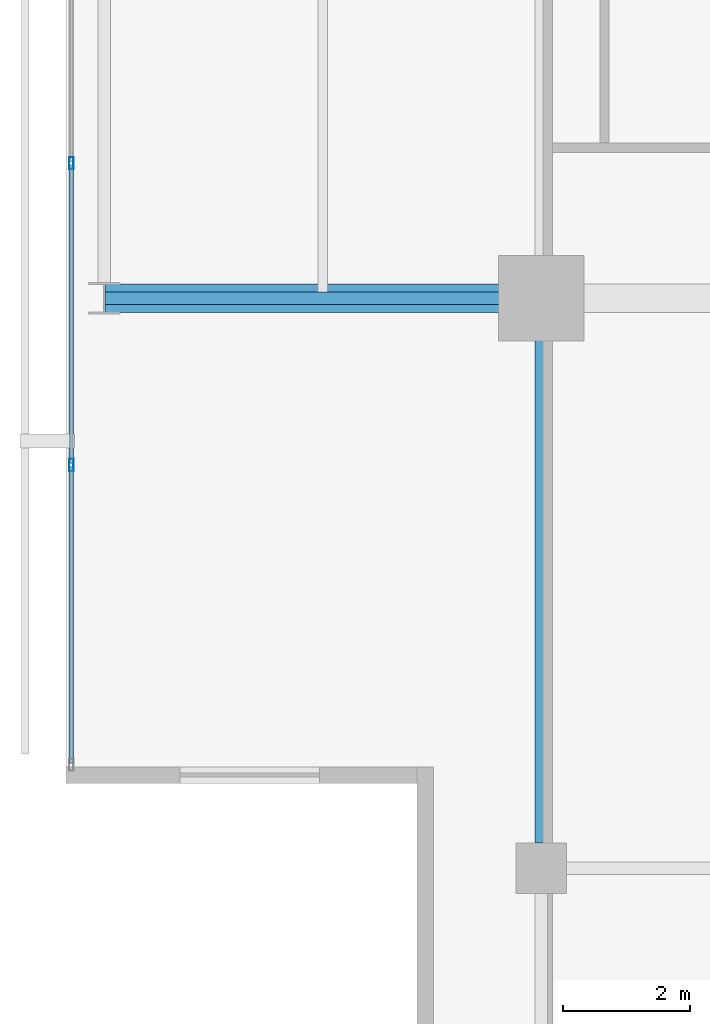
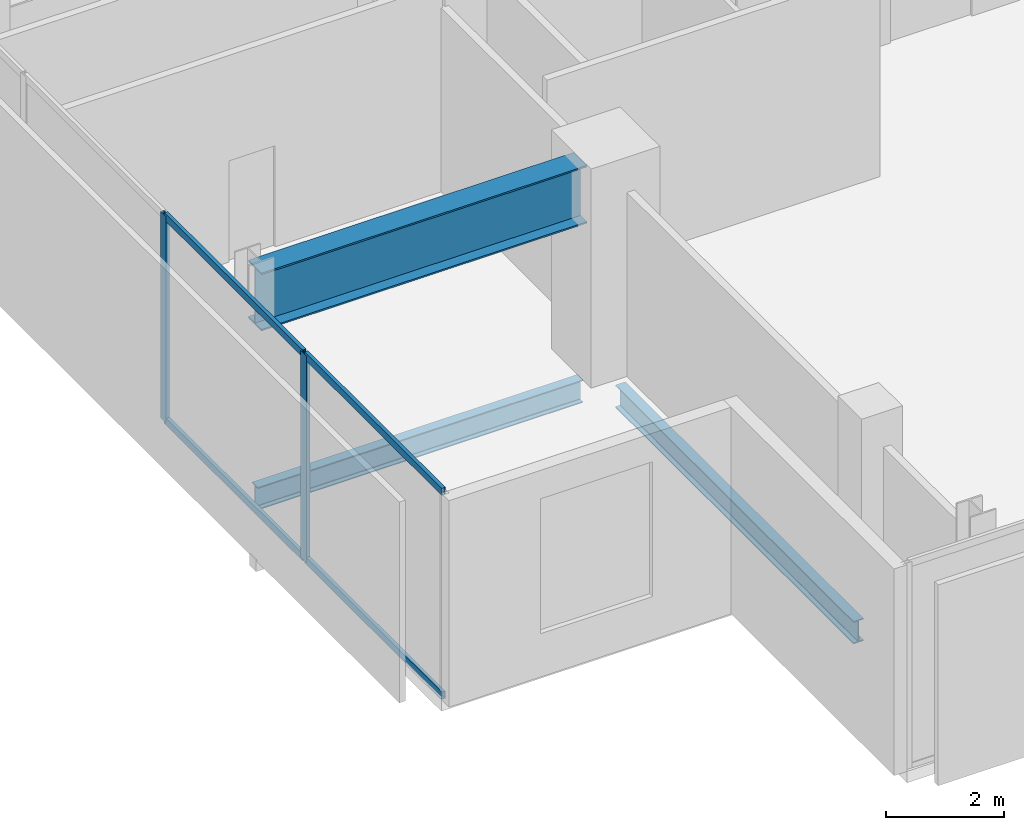
# One storey, part 3 of 23: 6 members, 3 beams, 1 element without a shape of its own.
"""IFC4 building model written with IfcOpenShell, lengths in metres."""

from ifc_helpers import new_model, si_unit, direction, frame, origin, origin_2d, place, context, subcontext, project, spatial, hollow_rectangle, i_section, extrude, material, layer, layer_set, material_profile, profile_set, type_object, element, aggregate, save


model = new_model("IFC4")

# Units and contexts
model_context = context("Model", 3, precision=1e-05, world=origin(), true_north=direction((0.0, 1.0)))
body_context = subcontext(model_context, "Body", "Model", "MODEL_VIEW")
ifc_project = project(units=[si_unit("LENGTHUNIT", "METRE"), si_unit("AREAUNIT", "SQUARE_METRE"), si_unit("VOLUMEUNIT", "CUBIC_METRE"), si_unit("PLANEANGLEUNIT", "RADIAN"), si_unit("MASSUNIT", "GRAM", prefix="KILO")], contexts=[model_context])

# Site, building, storey
site_placement = place(None, origin())
site = spatial("IfcSite", under=ifc_project, at=site_placement, CompositionType="ELEMENT")
building_placement = place(site_placement, origin())
building = spatial("IfcBuilding", under=site, at=building_placement, Name="Maruvema Waterfront Hotel and Observation Tower", CompositionType="ELEMENT")
storey_placement = place(building_placement, frame((0.0, 0.0, 349.64990234375)))
storey = spatial("IfcBuildingStorey", under=building, at=storey_placement, Name="L86", CompositionType="ELEMENT", Elevation=349.64990234375)

# Curtain wall, members
ifc_material_1 = material(Name="Anodised bronze aluminium and solar-control low-E IGU", Category="aluminium")
ifc_layer = layer(ifc_material_1, 0.159912109375, Name="Observation Crown Structural Glazed Curtain Wall System CW-06")
ifc_layer_set = layer_set([ifc_layer], Name="Anodised bronze aluminium and solar-control low-E IGU")
curtain_wall_type = type_object("IfcCurtainWallType", Name="Observation Crown Structural Glazed Curtain Wall System CW-06", PredefinedType="USERDEFINED", material=ifc_layer_set)
curtain_wall_placement = place(storey_placement, origin())
curtain_wall = element("IfcCurtainWall", 1, at=curtain_wall_placement, inside=storey, type_object=curtain_wall_type, Name="L86 Curtain Wall CW-L86-W", ObjectType="UNITISED CURTAIN WALL", PredefinedType="USERDEFINED")
ifc_material_2 = material(Name="Anodised architectural bronze aluminium", Category="aluminium")
ifc_material_profile_1 = material_profile(ifc_material_2, hollow_rectangle(XDim=0.070068359375, YDim=0.14990234375, WallThickness=0.00390625, at=origin_2d()), Name="ALU-T70x150")
ifc_profile_set_1 = profile_set([ifc_material_profile_1], Name="Anodised architectural bronze aluminium")
member_type_1 = type_object("IfcMemberType", Name="Curtain Wall Horizontal Transom ALU-T70x150", PredefinedType="USERDEFINED", material=ifc_profile_set_1)
member_1_placement = place(storey_placement, frame((17.780029296875, 29.103271484375, 0.030029296875), z_axis=(0.0, -1.0, 0.0), x_axis=(1.0, 0.0, 0.0)))
member_1 = element("IfcMember", 2, at=member_1_placement, type_object=member_type_1, Name="CW-06 transom 5.1", ObjectType="TRANSOM", PredefinedType="USERDEFINED", context=body_context, shape_type="SweptSolid", body=[
    extrude(hollow_rectangle(XDim=0.070068359375, YDim=0.14990234375, WallThickness=0.00390625, at=origin_2d()), origin(), (0.0, 0.0, 1.0), 4.70654296875),
])
member_2_placement = place(storey_placement, frame((17.780029296875, 29.103271484375, 4.260009765625), z_axis=(0.0, -1.0, 0.0), x_axis=(1.0, 0.0, 0.0)))
member_2 = element("IfcMember", 3, at=member_2_placement, type_object=member_type_1, Name="CW-06 transom 5.2", ObjectType="TRANSOM", PredefinedType="USERDEFINED", context=body_context, shape_type="SweptSolid", body=[
    extrude(hollow_rectangle(XDim=0.070068359375, YDim=0.14990234375, WallThickness=0.00390625, at=origin_2d()), origin(), (0.0, 0.0, 1.0), 4.70654296875),
])
member_3_placement = place(storey_placement, frame((17.780029296875, 24.336669921875, 0.030029296875), z_axis=(0.0, -1.0, 0.0), x_axis=(1.0, 0.0, 0.0)))
member_3 = element("IfcMember", 4, at=member_3_placement, type_object=member_type_1, Name="CW-06 transom 6.1", ObjectType="TRANSOM", PredefinedType="USERDEFINED", context=body_context, shape_type="SweptSolid", body=[
    extrude(hollow_rectangle(XDim=0.070068359375, YDim=0.14990234375, WallThickness=0.00390625, at=origin_2d()), origin(), (0.0, 0.0, 1.0), 4.6767578125),
])
member_4_placement = place(storey_placement, frame((17.780029296875, 24.336669921875, 4.260009765625), z_axis=(0.0, -1.0, 0.0), x_axis=(1.0, 0.0, 0.0)))
member_4 = element("IfcMember", 5, at=member_4_placement, type_object=member_type_1, Name="CW-06 transom 6.2", ObjectType="TRANSOM", PredefinedType="USERDEFINED", context=body_context, shape_type="SweptSolid", body=[
    extrude(hollow_rectangle(XDim=0.070068359375, YDim=0.14990234375, WallThickness=0.00390625, at=origin_2d()), origin(), (0.0, 0.0, 1.0), 4.6767578125),
])
ifc_material_3 = material(Name="Anodised architectural bronze aluminium", Category="aluminium")
ifc_material_profile_2 = material_profile(ifc_material_3, hollow_rectangle(XDim=0.070068359375, YDim=0.18994140625, WallThickness=0.00390625, at=origin_2d()), Name="ALU-M70x190")
ifc_profile_set_2 = profile_set([ifc_material_profile_2], Name="Anodised architectural bronze aluminium")
member_type_2 = type_object("IfcMemberType", Name="Podium Storefront Heavy Mullion ALU-M70x190", PredefinedType="MULLION", material=ifc_profile_set_2)
member_5_placement = place(storey_placement, frame((17.780029296875, 29.13330078125, 0.0), z_axis=(0.0, 0.0, 1.0), x_axis=(1.0, 0.0, 0.0)))
member_5 = element("IfcMember", 6, at=member_5_placement, type_object=member_type_2, Name="CW-06 mullion 5", PredefinedType="MULLION", context=body_context, shape_type="SweptSolid", body=[
    extrude(hollow_rectangle(XDim=0.070068359375, YDim=0.18994140625, WallThickness=0.00390625, at=origin_2d()), origin(), (0.0, 0.0, 1.0), 4.2900390625),
])
member_6_placement = place(storey_placement, frame((17.780029296875, 24.36669921875, 0.0), z_axis=(0.0, 0.0, 1.0), x_axis=(1.0, 0.0, 0.0)))
member_6 = element("IfcMember", 7, at=member_6_placement, type_object=member_type_2, Name="CW-06 mullion 6", PredefinedType="MULLION", context=body_context, shape_type="SweptSolid", body=[
    extrude(hollow_rectangle(XDim=0.070068359375, YDim=0.18994140625, WallThickness=0.00390625, at=origin_2d()), origin(), (0.0, 0.0, 1.0), 4.2900390625),
])
aggregate(curtain_wall, [member_5, member_6, member_1, member_2, member_3, member_4])

# Beams
ifc_material_4 = material(Name="Steel ASTM A572 Grade 50", Category="steel")
ifc_material_profile_3 = material_profile(ifc_material_4, i_section(OverallWidth=0.194091796875, OverallDepth=0.468994140625, WebThickness=0.0126953125, FlangeThickness=0.0205078125, FilletRadius=0.014892578125, at=origin_2d()), Name="W460x106.0")
ifc_profile_set_3 = profile_set([ifc_material_profile_3], Name="Steel ASTM A572 Grade 50")
beam_type_1 = type_object("IfcBeamType", Name="Primary Floor Girder W460x106.0", PredefinedType="BEAM", material=ifc_profile_set_3)
beam_1_placement = place(storey_placement, frame((18.31103515625, 27.0, -0.474365234375), z_axis=(1.0, 0.0, 0.0), x_axis=(0.0, 1.0, 0.0)))
element("IfcBeam", 8, at=beam_1_placement, inside=storey, type_object=beam_type_1, Name="L86 Floor Girder EW-07", PredefinedType="BEAM", context=body_context, shape_type="SweptSolid", body=[
    extrude(i_section(OverallWidth=0.194091796875, OverallDepth=0.468994140625, WebThickness=0.0126953125, FlangeThickness=0.0205078125, FilletRadius=0.014892578125, at=origin_2d()), origin(), (0.0, 0.0, 1.0), 6.388916015625),
])
beam_2_placement = place(storey_placement, frame((25.199951171875, 18.39990234375, -0.474365234375), z_axis=(0.0, 1.0, 0.0), x_axis=(-1.0, 0.0, 0.0)))
element("IfcBeam", 9, at=beam_2_placement, inside=storey, type_object=beam_type_1, Name="L86 Floor Girder NS-04", PredefinedType="BEAM", context=body_context, shape_type="SweptSolid", body=[
    extrude(i_section(OverallWidth=0.194091796875, OverallDepth=0.468994140625, WebThickness=0.0126953125, FlangeThickness=0.0205078125, FilletRadius=0.014892578125, at=origin_2d()), origin(), (0.0, 0.0, 1.0), 8.10009765625),
])
ifc_material_5 = material(Name="Steel ABNT NBR 7007 AR 415 (ASTM A572 Grade 50)", Category="steel")
ifc_material_profile_4 = material_profile(ifc_material_5, i_section(OverallWidth=0.449951171875, OverallDepth=1.199951171875, WebThickness=0.01904296875, FlangeThickness=0.031982421875, at=origin_2d()), Name="VS1200x366")
ifc_profile_set_4 = profile_set([ifc_material_profile_4], Name="Steel ABNT NBR 7007 AR 415 (ASTM A572 Grade 50)")
beam_type_2 = type_object("IfcBeamType", Name="Upper Setback Transfer Girder VS1200x366", PredefinedType="USERDEFINED", material=ifc_profile_set_4)
beam_3_placement = place(storey_placement, frame((18.31103515625, 27.0, 3.690185546875), z_axis=(1.0, 0.0, 0.0), x_axis=(0.0, 1.0, 0.0)))
element("IfcBeam", 10, at=beam_3_placement, inside=storey, type_object=beam_type_2, Name="L86 Upper Setback Transfer Girder W Y=27.0m", ObjectType="TRANSFER GIRDER", PredefinedType="USERDEFINED", context=body_context, shape_type="SweptSolid", body=[
    extrude(i_section(OverallWidth=0.449951171875, OverallDepth=1.199951171875, WebThickness=0.01904296875, FlangeThickness=0.031982421875, at=origin_2d()), origin(), (0.0, 0.0, 1.0), 6.388916015625),
])

save(model, "model.ifc")
